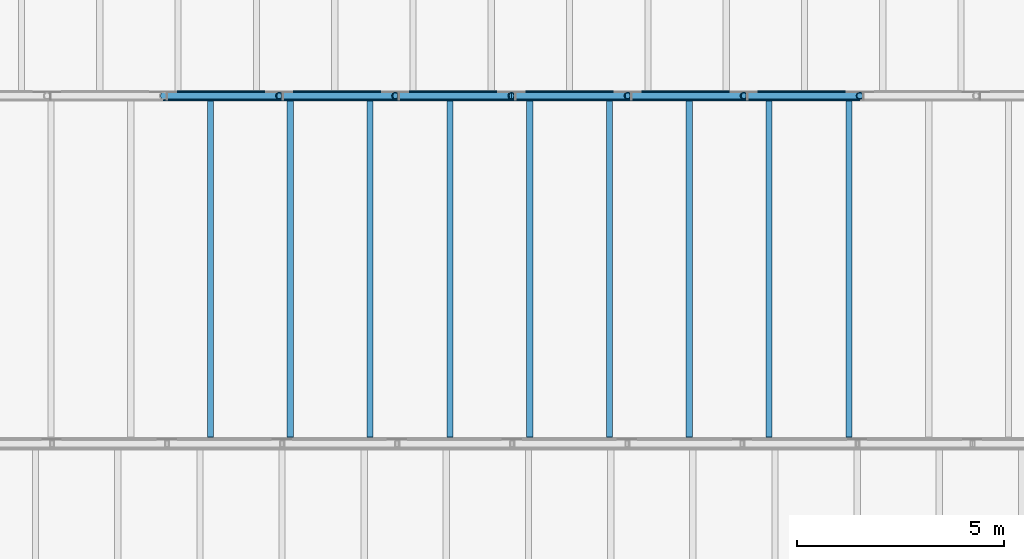
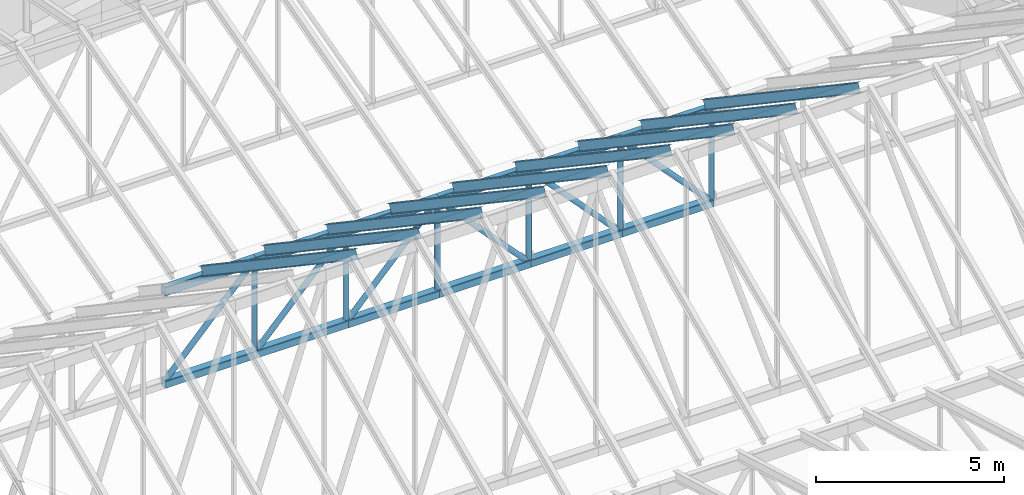
# One storey, part 30 of 68: 21 members, 12 beams.
"""IFC4 building model written with IfcOpenShell, lengths in metres."""

import ifcopenshell
import ifcopenshell.guid

model = None  # the IFC model being written
_history = None  # IfcOwnerHistory: only IFC2X3 demands one
_inside = {}  # id of a spatial element -> (the spatial element, [elements in it])
_under = {}  # id of a project, library or spatial element -> (it, [spatial elements below it])
_declared = {}  # id of a project -> (the project, [libraries it declares])
_typed = {}  # id of a type object -> (the type object, [elements of that type])
_made_of = {}  # id of a material, layer set ... -> (it, [elements and type objects made of it])


def new_model(schema):
    """Start an empty IFC model of exactly this schema.

    Asked for "IFC4X3", IfcOpenShell would pick the latest addendum, in which some entities
    have other attributes; the version numbers below select the first issue.
    IFC2X3 requires an IfcOwnerHistory on every rooted entity: one is made here for all.
    """
    global model, _history
    if schema == "IFC4X3":
        model = ifcopenshell.file(schema_version=(4, 3, 0, 0))
    else:
        model = ifcopenshell.file(schema=schema)
    _inside.clear()
    _under.clear()
    _declared.clear()
    _typed.clear()
    _made_of.clear()
    _history = None
    if model.schema == "IFC2X3":
        org = make("IfcOrganization", Name="unknown")
        user = make(
            "IfcPersonAndOrganization",
            ThePerson=make("IfcPerson", FamilyName="unknown"),
            TheOrganization=org,
        )
        app = make(
            "IfcApplication",
            ApplicationDeveloper=org,
            Version="unknown",
            ApplicationFullName="unknown",
            ApplicationIdentifier="unknown",
        )
        _history = make(
            "IfcOwnerHistory",
            OwningUser=user,
            OwningApplication=app,
            ChangeAction="ADDED",
            CreationDate=0,
        )
    return model


def make(cls, **values):
    """One entity of the class cls with the attributes given. An attribute that is None is left unset."""
    return model.create_entity(
        cls, **{name: value for name, value in values.items() if value is not None}
    )


def rooted(cls, **values):
    """An entity with a GlobalId (a new one), such as an element, a storey or a relation."""
    return make(cls, GlobalId=ifcopenshell.guid.new(), OwnerHistory=_history, **values)


def si_unit(unit_type, name, prefix=None):
    """IfcSIUnit, for example si_unit("LENGTHUNIT", "METRE", prefix="MILLI")."""
    return make("IfcSIUnit", UnitType=unit_type, Prefix=prefix, Name=name)


def assignment(units):
    """IfcUnitAssignment: the units of a project."""
    return None if units is None else make("IfcUnitAssignment", Units=units)


def point(xyz):
    """IfcCartesianPoint."""
    return None if xyz is None else make("IfcCartesianPoint", Coordinates=xyz)


def direction(xyz):
    """IfcDirection."""
    return None if xyz is None else make("IfcDirection", DirectionRatios=xyz)


def frame(location, z_axis=None, x_axis=None):
    """IfcAxis2Placement3D, a coordinate frame: its origin and axes. An axis left out is left unset."""
    return make(
        "IfcAxis2Placement3D",
        Location=point(location),
        Axis=direction(z_axis),
        RefDirection=direction(x_axis),
    )


def frame_2d(location, x_axis=None):
    """IfcAxis2Placement2D, a coordinate frame in the plane: its origin and x axis."""
    return make(
        "IfcAxis2Placement2D", Location=point(location), RefDirection=direction(x_axis)
    )


def origin():
    """The frame at (0, 0, 0) with its axes left unset."""
    return frame((0.0, 0.0, 0.0))


def origin_2d():
    """The frame at (0, 0) in the plane with its x axis left unset."""
    return frame_2d((0.0, 0.0))


def place(relative_to, where):
    """IfcLocalPlacement: puts the frame where relative to a parent placement (None: the world)."""
    return make(
        "IfcLocalPlacement", PlacementRelTo=relative_to, RelativePlacement=where
    )


def context(
    kind, dimensions, precision=None, world=None, true_north=None, identifier=None
):
    """IfcGeometricRepresentationContext, for example the 3D "Model" context."""
    return make(
        "IfcGeometricRepresentationContext",
        ContextIdentifier=identifier,
        ContextType=kind,
        CoordinateSpaceDimension=dimensions,
        Precision=precision,
        WorldCoordinateSystem=world,
        TrueNorth=true_north,
    )


def subcontext(parent, identifier, kind, view, scale=None):
    """IfcGeometricRepresentationSubContext, for example "Body" below "Model"."""
    return make(
        "IfcGeometricRepresentationSubContext",
        ContextIdentifier=identifier,
        ContextType=kind,
        ParentContext=parent,
        TargetScale=scale,
        TargetView=view,
    )


def project(units=None, contexts=None):
    """IfcProject with its units and contexts."""
    return rooted(
        "IfcProject",
        Name="project",
        RepresentationContexts=contexts,
        UnitsInContext=assignment(units),
    )


def spatial(cls, under=None, at=None, **own):
    """A site, building, storey or space (cls), placed at a placement, below another one or the project."""
    s = rooted(cls, ObjectPlacement=at, **own)
    if under is not None:
        _under.setdefault(under.id(), (under, []))[1].append(s)
    return s


def profile(cls, at=None, kind="AREA", **sizes):
    """A parametric profile (cls). Its sizes go by their IFC names, for example OverallWidth=200.0."""
    return make(cls, ProfileType=kind, Position=at, **sizes)


def hollow_rectangle(**sizes):
    """IfcRectangleHollowProfileDef."""
    return profile("IfcRectangleHollowProfileDef", **sizes)


def hollow_circle(**sizes):
    """IfcCircleHollowProfileDef."""
    return profile("IfcCircleHollowProfileDef", **sizes)


def i_section(**sizes):
    """IfcIShapeProfileDef."""
    return profile("IfcIShapeProfileDef", **sizes)


def extrude(swept, where, along, depth):
    """IfcExtrudedAreaSolid: the profile swept, set in the frame where, extruded along a direction by depth."""
    return make(
        "IfcExtrudedAreaSolid",
        SweptArea=swept,
        Position=where,
        ExtrudedDirection=direction(along),
        Depth=depth,
    )


def shape(context_of_items, identifier, shape_type, items):
    """IfcShapeRepresentation: the items that make up one representation, for example the "Body"."""
    return make(
        "IfcShapeRepresentation",
        ContextOfItems=context_of_items,
        RepresentationIdentifier=identifier,
        RepresentationType=shape_type,
        Items=items,
    )


def material(Name=None, Category=None):
    """IfcMaterial."""
    return make("IfcMaterial", Name=Name, Category=Category)


def material_profile(
    of_material, cross_section, Name=None, Category=None, Priority=None
):
    """IfcMaterialProfile: a cross section and its material."""
    return make(
        "IfcMaterialProfile",
        Name=Name,
        Material=of_material,
        Profile=cross_section,
        Priority=Priority,
        Category=Category,
    )


def profile_set(profiles, Name=None, composite=None):
    """IfcMaterialProfileSet."""
    return make(
        "IfcMaterialProfileSet",
        Name=Name,
        MaterialProfiles=profiles,
        CompositeProfile=composite,
    )


def made_of(thing, what):
    """Note that an element or type object is made of a material, layer set ...; save() writes the relation."""
    if what is not None:
        _made_of.setdefault(what.id(), (what, []))[1].append(thing)
    return thing


def type_object(cls, material=None, **own):
    """A type object (cls), such as IfcWallType, which elements share."""
    return made_of(rooted(cls, **own), material)


def element(
    cls,
    number,
    at=None,
    inside=None,
    cuts=None,
    type_object=None,
    material=None,
    context=None,
    identifier="Body",
    shape_type=None,
    held_by="IfcProductDefinitionShape",
    body=None,
    shapes=None,
    **own,
):
    """One element of the class cls, such as IfcWall. Its Tag is "e" and its number.

    at: its placement. inside: the storey or other place that contains it. cuts: it is an
    opening in that element (IfcRelVoidsElement). A single representation is given by context,
    identifier, shape_type and body (its items); several are given by shapes. held_by: the class
    of the entity that holds the representations. save() writes the other relations.
    """
    e = rooted(cls, Tag="e%d" % number, ObjectPlacement=at, **own)
    if body is not None:
        shapes = [shape(context, identifier, shape_type, body)]
    if shapes is not None:
        e.Representation = make(held_by, Representations=shapes)
    if inside is not None:
        _inside.setdefault(inside.id(), (inside, []))[1].append(e)
    if cuts is not None:
        rooted(
            "IfcRelVoidsElement", RelatingBuildingElement=cuts, RelatedOpeningElement=e
        )
    if type_object is not None:
        _typed.setdefault(type_object.id(), (type_object, []))[1].append(e)
    return made_of(e, material)


def aggregate(whole, parts):
    """IfcRelAggregates: a whole, such as a stair, and the parts it consists of."""
    return rooted("IfcRelAggregates", RelatingObject=whole, RelatedObjects=parts)


def save(model, path):
    """Write the relations noted so far, then the file.

    IfcRelAggregates (storeys below a building ...), IfcRelContainedInSpatialStructure (elements
    in a storey), IfcRelDefinesByType, IfcRelAssociatesMaterial and IfcRelDeclares: one each for
    every whole, place, type object, material and project.
    """
    for whole, parts in _under.values():
        aggregate(whole, parts)
    for where, things in _inside.values():
        rooted(
            "IfcRelContainedInSpatialStructure",
            RelatedElements=things,
            RelatingStructure=where,
        )
    for kind, things in _typed.values():
        rooted("IfcRelDefinesByType", RelatedObjects=things, RelatingType=kind)
    for what, things in _made_of.values():
        rooted("IfcRelAssociatesMaterial", RelatedObjects=things, RelatingMaterial=what)
    for by, libraries in _declared.values():
        rooted("IfcRelDeclares", RelatingContext=by, RelatedDefinitions=libraries)
    model.write(path)


model = new_model("IFC4")

# Units and contexts
model_context = context("Model", 3, precision=1e-05, world=origin(), true_north=direction((0.0, 1.0)))
body_context = subcontext(model_context, "Body", "Model", "MODEL_VIEW")
ifc_project = project(units=[si_unit("LENGTHUNIT", "METRE"), si_unit("AREAUNIT", "SQUARE_METRE"), si_unit("VOLUMEUNIT", "CUBIC_METRE"), si_unit("PLANEANGLEUNIT", "RADIAN"), si_unit("MASSUNIT", "GRAM", prefix="KILO")], contexts=[model_context])

# Site, building, storey
site_placement = place(None, origin())
site = spatial("IfcSite", under=ifc_project, at=site_placement, CompositionType="ELEMENT")
building_placement = place(site_placement, origin())
building = spatial("IfcBuilding", under=site, at=building_placement, Name="Larchfold Concert Hall", CompositionType="ELEMENT")
storey_placement = place(building_placement, frame((0.0, 0.0, 28.800048828125)))
storey = spatial("IfcBuildingStorey", under=building, at=storey_placement, Name="L06", CompositionType="ELEMENT", Elevation=28.800048828125)

# Members
ifc_material_1 = material(Name="Steel S355", Category="steel")
ifc_material_profile_1 = material_profile(ifc_material_1, i_section(OverallWidth=0.14990234375, OverallDepth=0.300048828125, WebThickness=0.007080078125, FlangeThickness=0.0107421875, FilletRadius=0.014892578125, at=origin_2d()))
ifc_profile_set_1 = profile_set([ifc_material_profile_1], Name="Steel S355")
member_type_1 = type_object("IfcMemberType", Name="Rafter IPE 300", PredefinedType="RAFTER", material=ifc_profile_set_1)
for number, where, z_axis, x_axis, name in (
    (1, (33.93017578125, 93.68017578125, 8.82470703125), (0.0, 0.829762477802, -0.558116681736), (-1.0, 0.0, 0.0), "Member RF0096"),
    (2, (35.85693359375, 93.68017578125, 8.82470703125), (0.0, 0.829762477802, -0.558116681736), (-1.0, 0.0, 0.0), "Member RF0097"),
    (3, (37.783447265625, 93.68017578125, 8.82470703125), (0.0, 0.829762477802, -0.558116681736), (-1.0, 0.0, 0.0), "Member RF0098"),
    (4, (39.710205078125, 93.68017578125, 8.82470703125), (0.0, 0.829762477802, -0.558116681736), (-1.0, 0.0, 0.0), "Member RF0099"),
    (5, (41.63671875, 93.68017578125, 8.82470703125), (0.0, 0.829762477802, -0.558116681736), (-1.0, 0.0, 0.0), "Member RF0100"),
    (6, (43.5634765625, 93.68017578125, 8.82470703125), (0.0, 0.829762477802, -0.558116681736), (-1.0, 0.0, 0.0), "Member RF0101"),
    (7, (45.489990234375, 93.68017578125, 8.82470703125), (0.0, 0.829762477802, -0.558116681736), (-1.0, 0.0, 0.0), "Member RF0102"),
    (8, (47.416748046875, 93.68017578125, 8.82470703125), (0.0, 0.829762477802, -0.558116681736), (-1.0, 0.0, 0.0), "Member RF0103"),
    (9, (49.34326171875, 93.68017578125, 8.82470703125), (0.0, 0.829762477802, -0.558116681736), (-1.0, 0.0, 0.0), "Member RF0104"),
):
    element("IfcMember", number, at=place(storey_placement, frame(where, z_axis=z_axis, x_axis=x_axis)), inside=storey, type_object=member_type_1, Name=name, PredefinedType="RAFTER", context=body_context, shape_type="SweptSolid", body=[
        extrude(i_section(OverallWidth=0.14990234375, OverallDepth=0.300048828125, WebThickness=0.007080078125, FlangeThickness=0.0107421875, FilletRadius=0.014892578125, at=origin_2d()), origin(), (0.0, 0.0, 1.0), 9.93017578125),
    ])

# Beams
ifc_material_2 = material(Name="Steel S355J2H", Category="steel")
ifc_material_profile_2 = material_profile(ifc_material_2, hollow_rectangle(XDim=0.199951171875, YDim=0.300048828125, WallThickness=0.012451171875, InnerFilletRadius=0.018798828125, OuterFilletRadius=0.03125, at=origin_2d()))
ifc_profile_set_2 = profile_set([ifc_material_profile_2], Name="Steel S355J2H")
beam_type_1 = type_object("IfcBeamType", Name="Truss chord RHS 300x200x12.5", PredefinedType="BEAM", material=ifc_profile_set_2)
for number, where, z_axis, x_axis, name in (
    (10, (32.7861328125, 102.0, 3.0), (1.0, 0.0, 0.0), (0.0, 1.0, 0.0), "Beam FT6T05"),
    (11, (35.590087890625, 102.0, 3.0), (1.0, 0.0, 0.0), (0.0, 1.0, 0.0), "Beam FT6T06"),
    (12, (38.39404296875, 102.0, 3.0), (1.0, 0.0, 0.0), (0.0, 1.0, 0.0), "Beam FT6T07"),
):
    element("IfcBeam", number, at=place(storey_placement, frame(where, z_axis=z_axis, x_axis=x_axis)), inside=storey, type_object=beam_type_1, Name=name, PredefinedType="BEAM", context=body_context, shape_type="SweptSolid", body=[
        extrude(hollow_rectangle(XDim=0.199951171875, YDim=0.300048828125, WallThickness=0.012451171875, InnerFilletRadius=0.018798828125, OuterFilletRadius=0.03125, at=origin_2d()), origin(), (0.0, 0.0, 1.0), 2.803955078125),
    ])
beam_1_placement = place(storey_placement, frame((41.197998046875, 102.0, 3.0), z_axis=(1.0, 0.0, 0.0), x_axis=(0.0, 1.0, 0.0)))
element("IfcBeam", 13, at=beam_1_placement, inside=storey, type_object=beam_type_1, Name="Beam FT6T08", PredefinedType="BEAM", context=body_context, shape_type="SweptSolid", body=[
    extrude(hollow_rectangle(XDim=0.199951171875, YDim=0.300048828125, WallThickness=0.012451171875, InnerFilletRadius=0.018798828125, OuterFilletRadius=0.03125, at=origin_2d()), origin(), (0.0, 0.0, 1.0), 2.80419921875),
])
for number, where, z_axis, x_axis, name in (
    (14, (44.002197265625, 102.0, 3.0), (1.0, 0.0, 0.0), (0.0, 1.0, 0.0), "Beam FT6T09"),
    (15, (46.80615234375, 102.0, 3.0), (1.0, 0.0, 0.0), (0.0, 1.0, 0.0), "Beam FT6T10"),
):
    element("IfcBeam", number, at=place(storey_placement, frame(where, z_axis=z_axis, x_axis=x_axis)), inside=storey, type_object=beam_type_1, Name=name, PredefinedType="BEAM", context=body_context, shape_type="SweptSolid", body=[
        extrude(hollow_rectangle(XDim=0.199951171875, YDim=0.300048828125, WallThickness=0.012451171875, InnerFilletRadius=0.018798828125, OuterFilletRadius=0.03125, at=origin_2d()), origin(), (0.0, 0.0, 1.0), 2.803955078125),
    ])

# Members
ifc_material_3 = material(Name="Steel S355J2H", Category="steel")
ifc_material_profile_3 = material_profile(ifc_material_3, hollow_circle(Radius=0.084228515625, WallThickness=0.008056640625, at=origin_2d()))
ifc_profile_set_3 = profile_set([ifc_material_profile_3], Name="Steel S355J2H")
member_type_2 = type_object("IfcMemberType", Name="Truss post CHS 168.3x8", PredefinedType="POST", material=ifc_profile_set_3)
for number, where, z_axis, x_axis, name in (
    (16, (35.590087890625, 102.0, 3.0), (0.0, 0.0, -1.0), (1.0, 0.0, 0.0), "Member FT6V06"),
    (17, (38.39404296875, 102.0, 3.0), (0.0, 0.0, -1.0), (1.0, 0.0, 0.0), "Member FT6V07"),
    (18, (41.197998046875, 102.0, 3.0), (0.0, 0.0, -1.0), (1.0, 0.0, 0.0), "Member FT6V08"),
    (19, (44.002197265625, 102.0, 3.0), (0.0, 0.0, -1.0), (1.0, 0.0, 0.0), "Member FT6V09"),
    (20, (46.80615234375, 102.0, 3.0), (0.0, 0.0, -1.0), (1.0, 0.0, 0.0), "Member FT6V10"),
    (21, (49.610107421875, 102.0, 3.0), (0.0, 0.0, -1.0), (1.0, 0.0, 0.0), "Member FT6V11"),
):
    element("IfcMember", number, at=place(storey_placement, frame(where, z_axis=z_axis, x_axis=x_axis)), inside=storey, type_object=member_type_2, Name=name, PredefinedType="POST", context=body_context, shape_type="SweptSolid", body=[
        extrude(hollow_circle(Radius=0.084228515625, WallThickness=0.008056640625, at=origin_2d()), origin(), (0.0, 0.0, 1.0), 3.0),
    ])

# Beams
ifc_material_4 = material(Name="Steel S355J2H", Category="steel")
ifc_material_profile_4 = material_profile(ifc_material_4, hollow_rectangle(XDim=0.25, YDim=0.25, WallThickness=0.012451171875, InnerFilletRadius=0.018798828125, OuterFilletRadius=0.03125, at=origin_2d()))
ifc_profile_set_4 = profile_set([ifc_material_profile_4], Name="Steel S355J2H")
beam_type_2 = type_object("IfcBeamType", Name="Truss tie SHS 250x250x12.5", PredefinedType="BEAM", material=ifc_profile_set_4)
for number, where, z_axis, x_axis, name in (
    (22, (32.7861328125, 102.0, 0.0), (1.0, 0.0, 0.0), (0.0, 1.0, 0.0), "Beam FT6B05"),
    (23, (35.590087890625, 102.0, 0.0), (1.0, 0.0, 0.0), (0.0, 1.0, 0.0), "Beam FT6B06"),
    (24, (38.39404296875, 102.0, 0.0), (1.0, 0.0, 0.0), (0.0, 1.0, 0.0), "Beam FT6B07"),
):
    element("IfcBeam", number, at=place(storey_placement, frame(where, z_axis=z_axis, x_axis=x_axis)), inside=storey, type_object=beam_type_2, Name=name, PredefinedType="BEAM", context=body_context, shape_type="SweptSolid", body=[
        extrude(hollow_rectangle(XDim=0.25, YDim=0.25, WallThickness=0.012451171875, InnerFilletRadius=0.018798828125, OuterFilletRadius=0.03125, at=origin_2d()), origin(), (0.0, 0.0, 1.0), 2.803955078125),
    ])
beam_2_placement = place(storey_placement, frame((41.197998046875, 102.0, 0.0), z_axis=(1.0, 0.0, 0.0), x_axis=(0.0, 1.0, 0.0)))
element("IfcBeam", 25, at=beam_2_placement, inside=storey, type_object=beam_type_2, Name="Beam FT6B08", PredefinedType="BEAM", context=body_context, shape_type="SweptSolid", body=[
    extrude(hollow_rectangle(XDim=0.25, YDim=0.25, WallThickness=0.012451171875, InnerFilletRadius=0.018798828125, OuterFilletRadius=0.03125, at=origin_2d()), origin(), (0.0, 0.0, 1.0), 2.80419921875),
])
for number, where, z_axis, x_axis, name in (
    (26, (44.002197265625, 102.0, 0.0), (1.0, 0.0, 0.0), (0.0, 1.0, 0.0), "Beam FT6B09"),
    (27, (46.80615234375, 102.0, 0.0), (1.0, 0.0, 0.0), (0.0, 1.0, 0.0), "Beam FT6B10"),
):
    element("IfcBeam", number, at=place(storey_placement, frame(where, z_axis=z_axis, x_axis=x_axis)), inside=storey, type_object=beam_type_2, Name=name, PredefinedType="BEAM", context=body_context, shape_type="SweptSolid", body=[
        extrude(hollow_rectangle(XDim=0.25, YDim=0.25, WallThickness=0.012451171875, InnerFilletRadius=0.018798828125, OuterFilletRadius=0.03125, at=origin_2d()), origin(), (0.0, 0.0, 1.0), 2.803955078125),
    ])

# Members
ifc_material_5 = material(Name="Steel S355J2H", Category="steel")
ifc_material_profile_5 = material_profile(ifc_material_5, hollow_circle(Radius=0.084228515625, WallThickness=0.008056640625, at=origin_2d()))
ifc_profile_set_5 = profile_set([ifc_material_profile_5], Name="Steel S355J2H")
member_type_3 = type_object("IfcMemberType", Name="Truss web CHS 168.3x8", PredefinedType="BRACE", material=ifc_profile_set_5)
for number, where, z_axis, x_axis, name in (
    (28, (32.7861328125, 102.0, 0.0), (0.682832834154, 0.0, 0.730574650943), (0.0, 1.0, 0.0), "Member FT6D05"),
    (29, (35.590087890625, 102.0, 0.0), (0.682832834154, 0.0, 0.730574650943), (0.0, 1.0, 0.0), "Member FT6D06"),
    (30, (38.39404296875, 102.0, 0.0), (0.682832834154, 0.0, 0.730574650943), (0.0, 1.0, 0.0), "Member FT6D07"),
    (31, (41.197998046875, 102.0, 3.0), (0.682864565329, 0.0, -0.730544992056), (0.0, 1.0, 0.0), "Member FT6D08"),
    (32, (44.002197265625, 102.0, 3.0), (0.682832834154, 0.0, -0.730574650943), (0.0, 1.0, 0.0), "Member FT6D09"),
    (33, (46.80615234375, 102.0, 3.0), (0.682832834154, 0.0, -0.730574650943), (0.0, 1.0, 0.0), "Member FT6D10"),
):
    element("IfcMember", number, at=place(storey_placement, frame(where, z_axis=z_axis, x_axis=x_axis)), inside=storey, type_object=member_type_3, Name=name, PredefinedType="BRACE", context=body_context, shape_type="SweptSolid", body=[
        extrude(hollow_circle(Radius=0.084228515625, WallThickness=0.008056640625, at=origin_2d()), origin(), (0.0, 0.0, 1.0), 4.1064453125),
    ])

save(model, "model.ifc")
